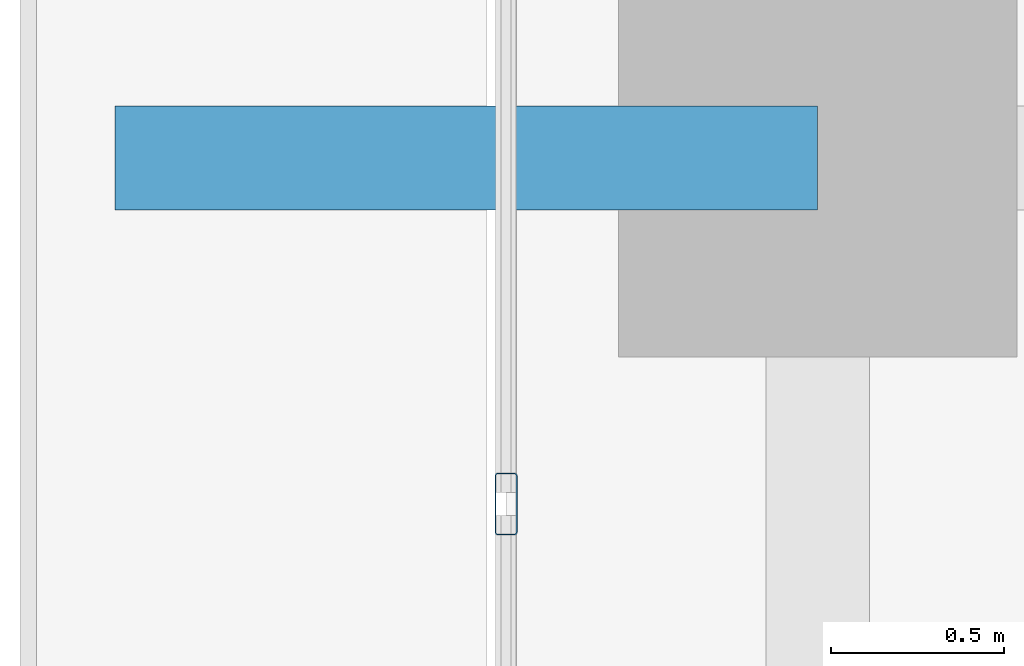
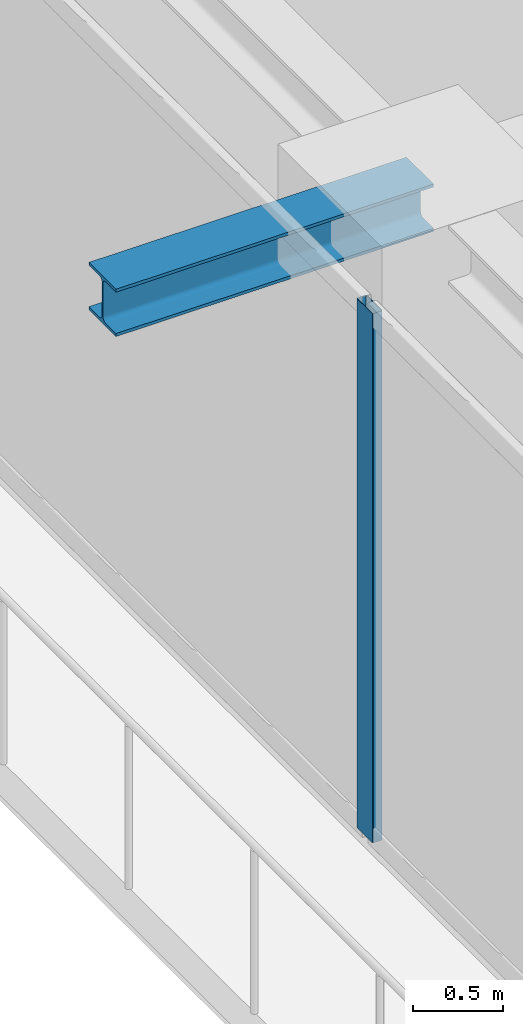
# One storey, part 9 of 37: 1 beam, 1 member, 1 element without a shape of its own.
"""IFC4 building model written with IfcOpenShell, lengths in metres."""

from ifc_helpers import new_model, si_unit, direction, frame, origin, origin_2d, place, context, subcontext, project, spatial, hollow_rectangle, i_section, extrude, source, transform, mapped, material, layer, layer_set, material_profile, profile_set, type_object, element, aggregate, save


model = new_model("IFC4")

# Units and contexts
model_context = context("Model", 3, precision=1e-05, world=origin(), true_north=direction((0.0, 1.0)))
body_context = subcontext(model_context, "Body", "Model", "MODEL_VIEW")
ifc_project = project(units=[si_unit("LENGTHUNIT", "METRE"), si_unit("AREAUNIT", "SQUARE_METRE"), si_unit("VOLUMEUNIT", "CUBIC_METRE"), si_unit("PLANEANGLEUNIT", "RADIAN"), si_unit("MASSUNIT", "GRAM", prefix="KILO")], contexts=[model_context])

# Site, building, storey
site_placement = place(None, origin())
site = spatial("IfcSite", under=ifc_project, at=site_placement, CompositionType="ELEMENT")
building_placement = place(site_placement, origin())
building = spatial("IfcBuilding", under=site, at=building_placement, Name="Serunith Strait Residences", CompositionType="ELEMENT")
storey_placement = place(building_placement, frame((0.0, 0.0, 275.89990234375)))
storey = spatial("IfcBuildingStorey", under=building, at=storey_placement, Name="L69", CompositionType="ELEMENT", Elevation=275.89990234375)

# Beam
ifc_material_1 = material(Name="Steel S355J2", Category="steel")
ifc_material_profile_1 = material_profile(ifc_material_1, i_section(OverallWidth=0.300048828125, OverallDepth=0.320068359375, WebThickness=0.011474609375, FlangeThickness=0.0205078125, FilletRadius=0.027099609375, at=origin_2d()), Name="HEB 320")
ifc_profile_set_1 = profile_set([ifc_material_profile_1], Name="Steel S355J2")
beam_type = type_object("IfcBeamType", Name="BM-HEB320", PredefinedType="BEAM", material=ifc_profile_set_1)
shared_shape_1 = source(origin(), body_context, "Body", "SweptSolid", [
    extrude(i_section(OverallWidth=0.300048828125, OverallDepth=0.320068359375, WebThickness=0.011474609375, FlangeThickness=0.0205078125, FilletRadius=0.027099609375, at=origin_2d()), origin(), (0.0, 0.0, 1.0), 2.030029296875),
])
beam_placement = place(storey_placement, frame((8.300048828125, 29.39990234375, 3.397216796875), z_axis=(-1.0, 0.0, 0.0), x_axis=(0.0, -1.0, 0.0)))
element("IfcBeam", 1, at=beam_placement, inside=storey, type_object=beam_type, Name="L70 Cantilevered Balcony Rib TC-W3", PredefinedType="BEAM", context=body_context, shape_type="MappedRepresentation", body=[
    mapped(shared_shape_1, transform((0.0, 0.0, 0.0), scale=1.0)),
])

# Curtain wall, member
ifc_material_2 = material(Name="Pale-Champagne Anodised Aluminium", Category="aluminium")
ifc_layer = layer(ifc_material_2, 0.199951171875, Name="Pale-Champagne Anodised Aluminium")
ifc_layer_set = layer_set([ifc_layer], Name="Pale-Champagne Anodised Aluminium")
curtain_wall_type = type_object("IfcCurtainWallType", Name="CW-SYS4", PredefinedType="NOTDEFINED", material=ifc_layer_set)
curtain_wall_placement = place(storey_placement, origin())
curtain_wall = element("IfcCurtainWall", 2, at=curtain_wall_placement, inside=storey, type_object=curtain_wall_type, Name="L69 W Unitised Fritted Curtain Wall", PredefinedType="NOTDEFINED")
ifc_material_profile_2 = material_profile(ifc_material_2, hollow_rectangle(XDim=0.06494140625, YDim=0.179931640625, WallThickness=0.00341796875, InnerFilletRadius=0.00537109375, OuterFilletRadius=0.0087890625, at=origin_2d()), Name="ALU 180x65x3.5")
ifc_profile_set_2 = profile_set([ifc_material_profile_2], Name="Pale-Champagne Anodised Aluminium")
member_type = type_object("IfcMemberType", Name="CW-SYS4-MULL", PredefinedType="MULLION", material=ifc_profile_set_2)
shared_shape_2 = source(origin(), body_context, "Body", "SweptSolid", [
    extrude(hollow_rectangle(XDim=0.06494140625, YDim=0.179931640625, WallThickness=0.00341796875, InnerFilletRadius=0.00537109375, OuterFilletRadius=0.0087890625, at=origin_2d()), origin(), (0.0, 0.0, 1.0), 3.5751953125),
])
member_placement = place(storey_placement, frame((7.39990234375, 28.39990234375, 0.0), z_axis=(0.0, 0.0, 1.0), x_axis=(1.0, 0.0, 0.0)))
member = element("IfcMember", 3, at=member_placement, type_object=member_type, Name="CW-4 mullion 3", PredefinedType="MULLION", context=body_context, shape_type="MappedRepresentation", body=[
    mapped(shared_shape_2, transform((0.0, 0.0, 0.0), scale=1.0)),
])
aggregate(curtain_wall, [member])

save(model, "model.ifc")
